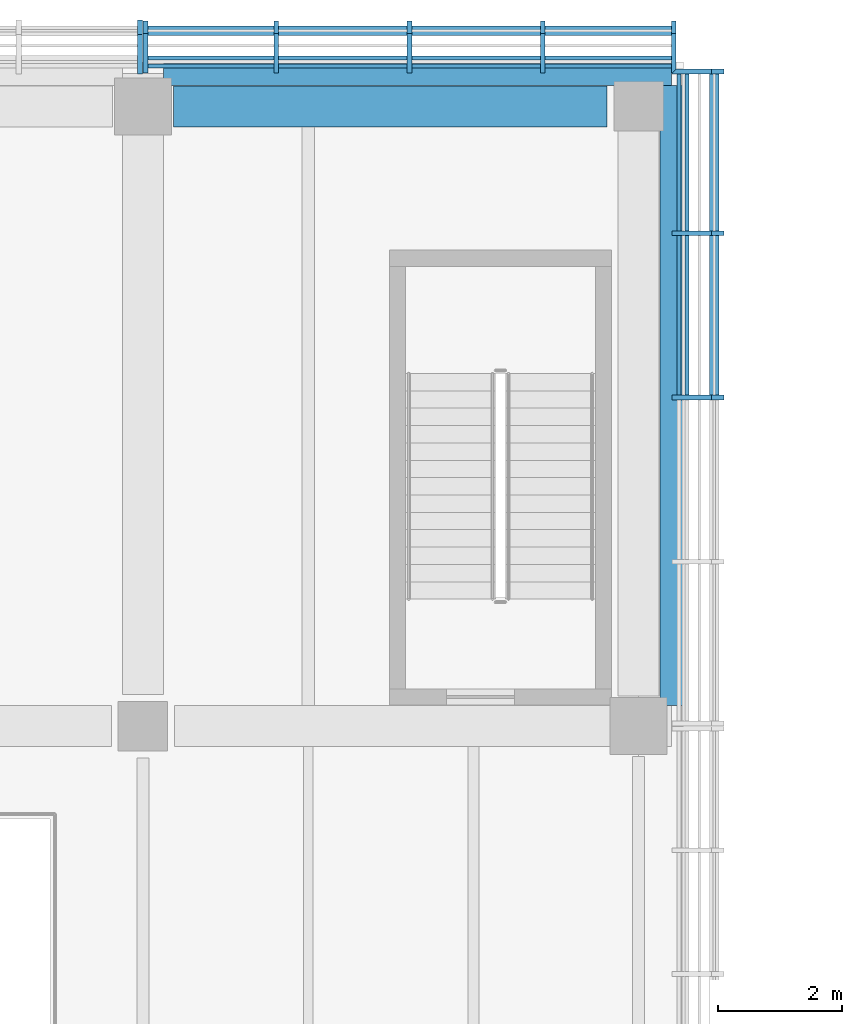
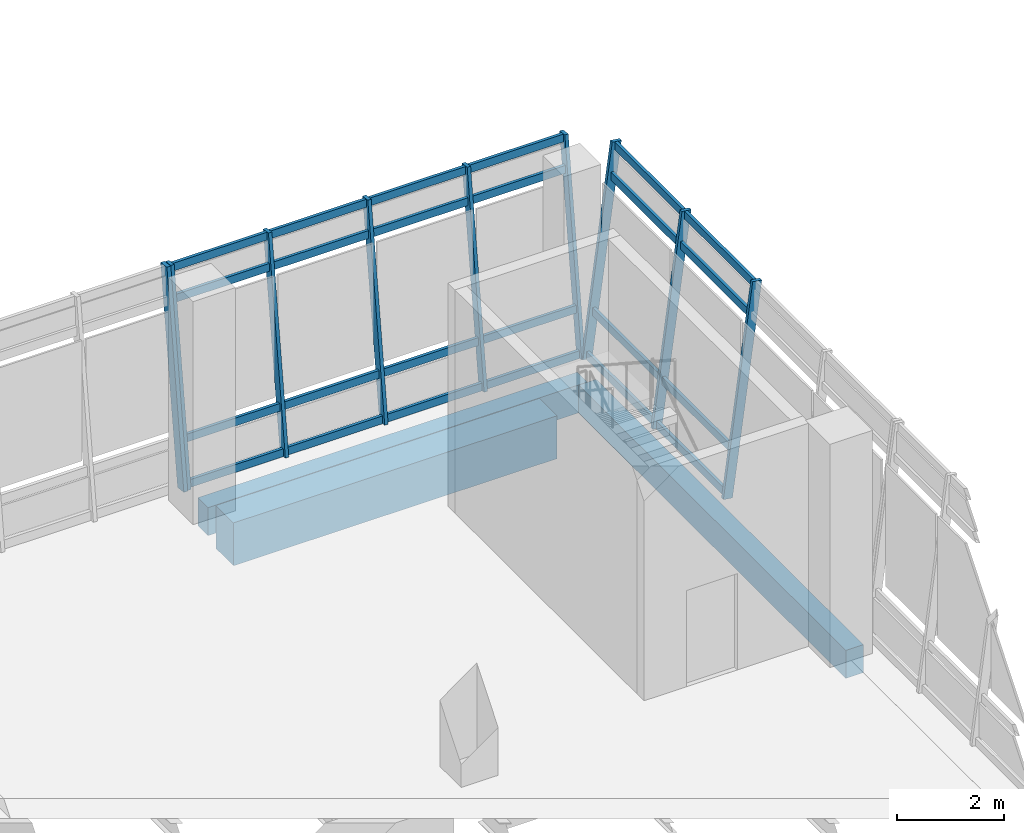
# One storey, part 20 of 61: 33 members, 3 beams, 3 elements without a shape of their own.
"""IFC4 building model written with IfcOpenShell, lengths in metres."""

from ifc_helpers import new_model, si_unit, direction, frame, origin, origin_2d, place, context, subcontext, project, spatial, rectangle, extrude, material, material_profile, profile_set, type_object, element, aggregate, save


model = new_model("IFC4")

# Units and contexts
model_context = context("Model", 3, precision=1e-05, world=origin(), true_north=direction((0.0, 1.0)))
body_context = subcontext(model_context, "Body", "Model", "MODEL_VIEW")
ifc_project = project(units=[si_unit("LENGTHUNIT", "METRE"), si_unit("AREAUNIT", "SQUARE_METRE"), si_unit("VOLUMEUNIT", "CUBIC_METRE"), si_unit("PLANEANGLEUNIT", "RADIAN"), si_unit("MASSUNIT", "GRAM", prefix="KILO")], contexts=[model_context])

# Site, building, storey
site_placement = place(None, origin())
site = spatial("IfcSite", under=ifc_project, at=site_placement, CompositionType="ELEMENT")
building_placement = place(site_placement, origin())
building = spatial("IfcBuilding", under=site, at=building_placement, Name="Pecanmere Concourse Central Library", CompositionType="ELEMENT")
storey_placement = place(building_placement, frame((0.0, 0.0, 5.39990234375)))
storey = spatial("IfcBuildingStorey", under=building, at=storey_placement, Name="L02", CompositionType="ELEMENT", Elevation=5.39990234375)

# Curtain wall, members
ifc_material_1 = material(Name="Anodized bronze aluminium alloy 6063-T6", Category="aluminium")
curtain_wall_type_1 = type_object("IfcCurtainWallType", Name="CW_LEAN_BANDED", PredefinedType="USERDEFINED", material=ifc_material_1)
curtain_wall_1_placement = place(storey_placement, origin())
curtain_wall_1 = element("IfcCurtainWall", 1, at=curtain_wall_1_placement, inside=storey, type_object=curtain_wall_type_1, Name="Unitised Curtain Wall CW-01 L02-008", ObjectType="UNITISED CURTAIN WALL", PredefinedType="USERDEFINED")
ifc_material_2 = material(Name="Anodized bronze aluminium alloy 6063-T6", Category="aluminium")
ifc_material_profile_1 = material_profile(ifc_material_2, rectangle(XDim=0.074951171875, YDim=0.199951171875, at=origin_2d()), Name="AL 75x200")
ifc_profile_set_1 = profile_set([ifc_material_profile_1], Name="Anodized bronze aluminium alloy 6063-T6")
member_type_1 = type_object("IfcMemberType", Name="CWM_200x75", PredefinedType="MULLION", material=ifc_profile_set_1)
member_1_placement = place(storey_placement, frame((104.56298828125, 124.640380859375, 0.0), z_axis=(0.0, 0.132283601957, 0.991211909055), x_axis=(-1.0, 0.0, 0.0)))
member_1 = element("IfcMember", 2, at=member_1_placement, type_object=member_type_1, Name="CW-01 Mullion 1", PredefinedType="MULLION", context=body_context, shape_type="SweptSolid", body=[
    extrude(rectangle(XDim=0.074951171875, YDim=0.199951171875, at=origin_2d()), origin(), (0.0, 0.0, 1.0), 4.80224609375),
])
member_2_placement = place(storey_placement, frame((102.45166015625, 124.640380859375, 0.0), z_axis=(0.0, 0.132283601957, 0.991211909055), x_axis=(-1.0, 0.0, 0.0)))
member_2 = element("IfcMember", 3, at=member_2_placement, type_object=member_type_1, Name="CW-01 Mullion 2", PredefinedType="MULLION", context=body_context, shape_type="SweptSolid", body=[
    extrude(rectangle(XDim=0.074951171875, YDim=0.199951171875, at=origin_2d()), origin(), (0.0, 0.0, 1.0), 4.80224609375),
])
member_3_placement = place(storey_placement, frame((100.302734375, 124.640380859375, 0.0), z_axis=(0.0, 0.132283601957, 0.991211909055), x_axis=(-1.0, 0.0, 0.0)))
member_3 = element("IfcMember", 4, at=member_3_placement, type_object=member_type_1, Name="CW-01 Mullion 3", PredefinedType="MULLION", context=body_context, shape_type="SweptSolid", body=[
    extrude(rectangle(XDim=0.074951171875, YDim=0.199951171875, at=origin_2d()), origin(), (0.0, 0.0, 1.0), 4.80224609375),
])
member_4_placement = place(storey_placement, frame((98.15380859375, 124.640380859375, 0.0), z_axis=(0.0, 0.132283601957, 0.991211909055), x_axis=(-1.0, 0.0, 0.0)))
member_4 = element("IfcMember", 5, at=member_4_placement, type_object=member_type_1, Name="CW-01 Mullion 4", PredefinedType="MULLION", context=body_context, shape_type="SweptSolid", body=[
    extrude(rectangle(XDim=0.074951171875, YDim=0.199951171875, at=origin_2d()), origin(), (0.0, 0.0, 1.0), 4.80224609375),
])
member_5_placement = place(storey_placement, frame((96.04248046875, 124.640380859375, 0.0), z_axis=(0.0, 0.132283601957, 0.991211909055), x_axis=(-1.0, 0.0, 0.0)))
member_5 = element("IfcMember", 6, at=member_5_placement, type_object=member_type_1, Name="CW-01 Mullion 5", PredefinedType="MULLION", context=body_context, shape_type="SweptSolid", body=[
    extrude(rectangle(XDim=0.074951171875, YDim=0.199951171875, at=origin_2d()), origin(), (0.0, 0.0, 1.0), 4.80224609375),
])

curtain_wall_2_placement = place(storey_placement, origin())
curtain_wall_2 = element("IfcCurtainWall", 7, at=curtain_wall_2_placement, inside=storey, type_object=curtain_wall_type_1, Name="Unitised Curtain Wall CW-01 L02-018", ObjectType="UNITISED CURTAIN WALL", PredefinedType="USERDEFINED")
member_6_placement = place(storey_placement, frame((104.640380859375, 119.302734375, 0.0), z_axis=(0.132283601957, 0.0, 0.991211909055), x_axis=(0.0, 1.0, 0.0)))
member_6 = element("IfcMember", 8, at=member_6_placement, type_object=member_type_1, Name="CW-01 Mullion 3", PredefinedType="MULLION", context=body_context, shape_type="SweptSolid", body=[
    extrude(rectangle(XDim=0.074951171875, YDim=0.199951171875, at=origin_2d()), origin(), (0.0, 0.0, 1.0), 4.80224609375),
])
member_7_placement = place(storey_placement, frame((104.640380859375, 121.95166015625, 0.0), z_axis=(0.132283601957, 0.0, 0.991211909055), x_axis=(0.0, 1.0, 0.0)))
member_7 = element("IfcMember", 9, at=member_7_placement, type_object=member_type_1, Name="CW-01 Mullion 4", PredefinedType="MULLION", context=body_context, shape_type="SweptSolid", body=[
    extrude(rectangle(XDim=0.074951171875, YDim=0.199951171875, at=origin_2d()), origin(), (0.0, 0.0, 1.0), 4.80224609375),
])
member_8_placement = place(storey_placement, frame((104.640380859375, 124.56298828125, 0.0), z_axis=(0.132283601957, 0.0, 0.991211909055), x_axis=(0.0, 1.0, 0.0)))
member_8 = element("IfcMember", 10, at=member_8_placement, type_object=member_type_1, Name="CW-01 Mullion 5", PredefinedType="MULLION", context=body_context, shape_type="SweptSolid", body=[
    extrude(rectangle(XDim=0.074951171875, YDim=0.199951171875, at=origin_2d()), origin(), (0.0, 0.0, 1.0), 4.80224609375),
])

# Curtain wall, member
ifc_material_3 = material(Name="Anodized bronze aluminium alloy 6063-T6", Category="aluminium")
curtain_wall_type_2 = type_object("IfcCurtainWallType", Name="CW_PORTAL_CLEAR", PredefinedType="USERDEFINED", material=ifc_material_3)
curtain_wall_3_placement = place(storey_placement, origin())
curtain_wall_3 = element("IfcCurtainWall", 11, at=curtain_wall_3_placement, inside=storey, type_object=curtain_wall_type_2, Name="Unitised Curtain Wall CW-03 L02-009", ObjectType="UNITISED CURTAIN WALL", PredefinedType="USERDEFINED")
ifc_material_4 = material(Name="Anodized bronze aluminium alloy 6063-T6", Category="aluminium")
ifc_material_profile_2 = material_profile(ifc_material_4, rectangle(XDim=0.0849609375, YDim=0.239990234375, at=origin_2d()), Name="AL 85x240")
ifc_profile_set_2 = profile_set([ifc_material_profile_2], Name="Anodized bronze aluminium alloy 6063-T6")
member_type_2 = type_object("IfcMemberType", Name="CWM_240x85", PredefinedType="MULLION", material=ifc_profile_set_2)
member_9_placement = place(storey_placement, frame((95.952392578125, 124.640380859375, 0.0), z_axis=(0.0, 0.132283601957, 0.991211909055), x_axis=(-1.0, 0.0, 0.0)))
member_9 = element("IfcMember", 12, at=member_9_placement, type_object=member_type_2, Name="CW-03 Mullion 1", PredefinedType="MULLION", context=body_context, shape_type="SweptSolid", body=[
    extrude(rectangle(XDim=0.0849609375, YDim=0.239990234375, at=origin_2d()), origin(), (0.0, 0.0, 1.0), 4.80224609375),
])
aggregate(curtain_wall_3, [member_9])

# Member
ifc_material_5 = material(Name="Anodized bronze aluminium alloy 6063-T6", Category="aluminium")
ifc_material_profile_3 = material_profile(ifc_material_5, rectangle(XDim=0.06494140625, YDim=0.179931640625, at=origin_2d()), Name="AL 65x180")
ifc_profile_set_3 = profile_set([ifc_material_profile_3], Name="Anodized bronze aluminium alloy 6063-T6")
member_type_3 = type_object("IfcMemberType", Name="CWT_180x65", PredefinedType="USERDEFINED", material=ifc_profile_set_3)
member_10_placement = place(storey_placement, frame((104.525390625, 124.652587890625, 0.090087890625), z_axis=(-1.0, 0.0, 0.0), x_axis=(0.0, -1.0, 0.0)))
member_10 = element("IfcMember", 13, at=member_10_placement, type_object=member_type_3, Name="CW-01 Transom 1.1", ObjectType="TRANSOM", PredefinedType="USERDEFINED", context=body_context, shape_type="SweptSolid", body=[
    extrude(rectangle(XDim=0.06494140625, YDim=0.179931640625, at=origin_2d()), origin(), (0.0, 0.0, 1.0), 2.036376953125),
])

member_11_placement = place(storey_placement, frame((104.525390625, 124.780517578125, 1.050048828125), z_axis=(-1.0, 0.0, 0.0), x_axis=(0.0, -1.0, 0.0)))
member_11 = element("IfcMember", 14, at=member_11_placement, type_object=member_type_3, Name="CW-01 Transom 1.2", ObjectType="TRANSOM", PredefinedType="USERDEFINED", context=body_context, shape_type="SweptSolid", body=[
    extrude(rectangle(XDim=0.06494140625, YDim=0.179931640625, at=origin_2d()), origin(), (0.0, 0.0, 1.0), 2.036376953125),
])

member_12_placement = place(storey_placement, frame((104.525390625, 125.175537109375, 4.010009765625), z_axis=(-1.0, 0.0, 0.0), x_axis=(0.0, -1.0, 0.0)))
member_12 = element("IfcMember", 15, at=member_12_placement, type_object=member_type_3, Name="CW-01 Transom 1.3", ObjectType="TRANSOM", PredefinedType="USERDEFINED", context=body_context, shape_type="SweptSolid", body=[
    extrude(rectangle(XDim=0.06494140625, YDim=0.179931640625, at=origin_2d()), origin(), (0.0, 0.0, 1.0), 2.036376953125),
])

member_13_placement = place(storey_placement, frame((104.525390625, 125.263671875, 4.670166015625), z_axis=(-1.0, 0.0, 0.0), x_axis=(0.0, -1.0, 0.0)))
member_13 = element("IfcMember", 16, at=member_13_placement, type_object=member_type_3, Name="CW-01 Transom 1.4", ObjectType="TRANSOM", PredefinedType="USERDEFINED", context=body_context, shape_type="SweptSolid", body=[
    extrude(rectangle(XDim=0.06494140625, YDim=0.179931640625, at=origin_2d()), origin(), (0.0, 0.0, 1.0), 2.036376953125),
])

member_14_placement = place(storey_placement, frame((102.4140625, 124.652587890625, 0.090087890625), z_axis=(-1.0, 0.0, 0.0), x_axis=(0.0, -1.0, 0.0)))
member_14 = element("IfcMember", 17, at=member_14_placement, type_object=member_type_3, Name="CW-01 Transom 2.1", ObjectType="TRANSOM", PredefinedType="USERDEFINED", context=body_context, shape_type="SweptSolid", body=[
    extrude(rectangle(XDim=0.06494140625, YDim=0.179931640625, at=origin_2d()), origin(), (0.0, 0.0, 1.0), 2.07373046875),
])

member_15_placement = place(storey_placement, frame((102.4140625, 124.780517578125, 1.050048828125), z_axis=(-1.0, 0.0, 0.0), x_axis=(0.0, -1.0, 0.0)))
member_15 = element("IfcMember", 18, at=member_15_placement, type_object=member_type_3, Name="CW-01 Transom 2.2", ObjectType="TRANSOM", PredefinedType="USERDEFINED", context=body_context, shape_type="SweptSolid", body=[
    extrude(rectangle(XDim=0.06494140625, YDim=0.179931640625, at=origin_2d()), origin(), (0.0, 0.0, 1.0), 2.07373046875),
])

member_16_placement = place(storey_placement, frame((102.4140625, 125.175537109375, 4.010009765625), z_axis=(-1.0, 0.0, 0.0), x_axis=(0.0, -1.0, 0.0)))
member_16 = element("IfcMember", 19, at=member_16_placement, type_object=member_type_3, Name="CW-01 Transom 2.3", ObjectType="TRANSOM", PredefinedType="USERDEFINED", context=body_context, shape_type="SweptSolid", body=[
    extrude(rectangle(XDim=0.06494140625, YDim=0.179931640625, at=origin_2d()), origin(), (0.0, 0.0, 1.0), 2.07373046875),
])

member_17_placement = place(storey_placement, frame((102.4140625, 125.263671875, 4.670166015625), z_axis=(-1.0, 0.0, 0.0), x_axis=(0.0, -1.0, 0.0)))
member_17 = element("IfcMember", 20, at=member_17_placement, type_object=member_type_3, Name="CW-01 Transom 2.4", ObjectType="TRANSOM", PredefinedType="USERDEFINED", context=body_context, shape_type="SweptSolid", body=[
    extrude(rectangle(XDim=0.06494140625, YDim=0.179931640625, at=origin_2d()), origin(), (0.0, 0.0, 1.0), 2.07373046875),
])

member_18_placement = place(storey_placement, frame((100.26513671875, 124.652587890625, 0.090087890625), z_axis=(-1.0, 0.0, 0.0), x_axis=(0.0, -1.0, 0.0)))
member_18 = element("IfcMember", 21, at=member_18_placement, type_object=member_type_3, Name="CW-01 Transom 3.1", ObjectType="TRANSOM", PredefinedType="USERDEFINED", context=body_context, shape_type="SweptSolid", body=[
    extrude(rectangle(XDim=0.06494140625, YDim=0.179931640625, at=origin_2d()), origin(), (0.0, 0.0, 1.0), 2.07373046875),
])

member_19_placement = place(storey_placement, frame((100.26513671875, 124.780517578125, 1.050048828125), z_axis=(-1.0, 0.0, 0.0), x_axis=(0.0, -1.0, 0.0)))
member_19 = element("IfcMember", 22, at=member_19_placement, type_object=member_type_3, Name="CW-01 Transom 3.2", ObjectType="TRANSOM", PredefinedType="USERDEFINED", context=body_context, shape_type="SweptSolid", body=[
    extrude(rectangle(XDim=0.06494140625, YDim=0.179931640625, at=origin_2d()), origin(), (0.0, 0.0, 1.0), 2.07373046875),
])

member_20_placement = place(storey_placement, frame((100.26513671875, 125.175537109375, 4.010009765625), z_axis=(-1.0, 0.0, 0.0), x_axis=(0.0, -1.0, 0.0)))
member_20 = element("IfcMember", 23, at=member_20_placement, type_object=member_type_3, Name="CW-01 Transom 3.3", ObjectType="TRANSOM", PredefinedType="USERDEFINED", context=body_context, shape_type="SweptSolid", body=[
    extrude(rectangle(XDim=0.06494140625, YDim=0.179931640625, at=origin_2d()), origin(), (0.0, 0.0, 1.0), 2.07373046875),
])

member_21_placement = place(storey_placement, frame((100.26513671875, 125.263671875, 4.670166015625), z_axis=(-1.0, 0.0, 0.0), x_axis=(0.0, -1.0, 0.0)))
member_21 = element("IfcMember", 24, at=member_21_placement, type_object=member_type_3, Name="CW-01 Transom 3.4", ObjectType="TRANSOM", PredefinedType="USERDEFINED", context=body_context, shape_type="SweptSolid", body=[
    extrude(rectangle(XDim=0.06494140625, YDim=0.179931640625, at=origin_2d()), origin(), (0.0, 0.0, 1.0), 2.07373046875),
])

member_22_placement = place(storey_placement, frame((98.116455078125, 124.652587890625, 0.090087890625), z_axis=(-1.0, 0.0, 0.0), x_axis=(0.0, -1.0, 0.0)))
member_22 = element("IfcMember", 25, at=member_22_placement, type_object=member_type_3, Name="CW-01 Transom 4.1", ObjectType="TRANSOM", PredefinedType="USERDEFINED", context=body_context, shape_type="SweptSolid", body=[
    extrude(rectangle(XDim=0.06494140625, YDim=0.179931640625, at=origin_2d()), origin(), (0.0, 0.0, 1.0), 2.036376953125),
])

member_23_placement = place(storey_placement, frame((98.116455078125, 124.780517578125, 1.050048828125), z_axis=(-1.0, 0.0, 0.0), x_axis=(0.0, -1.0, 0.0)))
member_23 = element("IfcMember", 26, at=member_23_placement, type_object=member_type_3, Name="CW-01 Transom 4.2", ObjectType="TRANSOM", PredefinedType="USERDEFINED", context=body_context, shape_type="SweptSolid", body=[
    extrude(rectangle(XDim=0.06494140625, YDim=0.179931640625, at=origin_2d()), origin(), (0.0, 0.0, 1.0), 2.036376953125),
])

member_24_placement = place(storey_placement, frame((98.116455078125, 125.175537109375, 4.010009765625), z_axis=(-1.0, 0.0, 0.0), x_axis=(0.0, -1.0, 0.0)))
member_24 = element("IfcMember", 27, at=member_24_placement, type_object=member_type_3, Name="CW-01 Transom 4.3", ObjectType="TRANSOM", PredefinedType="USERDEFINED", context=body_context, shape_type="SweptSolid", body=[
    extrude(rectangle(XDim=0.06494140625, YDim=0.179931640625, at=origin_2d()), origin(), (0.0, 0.0, 1.0), 2.036376953125),
])

member_25_placement = place(storey_placement, frame((98.116455078125, 125.263671875, 4.670166015625), z_axis=(-1.0, 0.0, 0.0), x_axis=(0.0, -1.0, 0.0)))
member_25 = element("IfcMember", 28, at=member_25_placement, type_object=member_type_3, Name="CW-01 Transom 4.4", ObjectType="TRANSOM", PredefinedType="USERDEFINED", context=body_context, shape_type="SweptSolid", body=[
    extrude(rectangle(XDim=0.06494140625, YDim=0.179931640625, at=origin_2d()), origin(), (0.0, 0.0, 1.0), 2.036376953125),
])

aggregate(curtain_wall_1, [member_1, member_2, member_3, member_4, member_5, member_10, member_11, member_12, member_13, member_14, member_15, member_16, member_17, member_18, member_19, member_20, member_21, member_22, member_23, member_24, member_25])

member_26_placement = place(storey_placement, frame((104.652587890625, 119.34033203125, 0.090087890625), z_axis=(0.0, 1.0, 0.0), x_axis=(-1.0, 0.0, 0.0)))
member_26 = element("IfcMember", 29, at=member_26_placement, type_object=member_type_3, Name="CW-01 Transom 3.1", ObjectType="TRANSOM", PredefinedType="USERDEFINED", context=body_context, shape_type="SweptSolid", body=[
    extrude(rectangle(XDim=0.06494140625, YDim=0.179931640625, at=origin_2d()), origin(), (0.0, 0.0, 1.0), 2.57373046875),
])

member_27_placement = place(storey_placement, frame((104.780517578125, 119.34033203125, 1.050048828125), z_axis=(0.0, 1.0, 0.0), x_axis=(-1.0, 0.0, 0.0)))
member_27 = element("IfcMember", 30, at=member_27_placement, type_object=member_type_3, Name="CW-01 Transom 3.2", ObjectType="TRANSOM", PredefinedType="USERDEFINED", context=body_context, shape_type="SweptSolid", body=[
    extrude(rectangle(XDim=0.06494140625, YDim=0.179931640625, at=origin_2d()), origin(), (0.0, 0.0, 1.0), 2.57373046875),
])

member_28_placement = place(storey_placement, frame((105.175537109375, 119.34033203125, 4.010009765625), z_axis=(0.0, 1.0, 0.0), x_axis=(-1.0, 0.0, 0.0)))
member_28 = element("IfcMember", 31, at=member_28_placement, type_object=member_type_3, Name="CW-01 Transom 3.3", ObjectType="TRANSOM", PredefinedType="USERDEFINED", context=body_context, shape_type="SweptSolid", body=[
    extrude(rectangle(XDim=0.06494140625, YDim=0.179931640625, at=origin_2d()), origin(), (0.0, 0.0, 1.0), 2.57373046875),
])

member_29_placement = place(storey_placement, frame((105.263671875, 119.34033203125, 4.670166015625), z_axis=(0.0, 1.0, 0.0), x_axis=(-1.0, 0.0, 0.0)))
member_29 = element("IfcMember", 32, at=member_29_placement, type_object=member_type_3, Name="CW-01 Transom 3.4", ObjectType="TRANSOM", PredefinedType="USERDEFINED", context=body_context, shape_type="SweptSolid", body=[
    extrude(rectangle(XDim=0.06494140625, YDim=0.179931640625, at=origin_2d()), origin(), (0.0, 0.0, 1.0), 2.57373046875),
])

member_30_placement = place(storey_placement, frame((104.652587890625, 121.989013671875, 0.090087890625), z_axis=(0.0, 1.0, 0.0), x_axis=(-1.0, 0.0, 0.0)))
member_30 = element("IfcMember", 33, at=member_30_placement, type_object=member_type_3, Name="CW-01 Transom 4.1", ObjectType="TRANSOM", PredefinedType="USERDEFINED", context=body_context, shape_type="SweptSolid", body=[
    extrude(rectangle(XDim=0.06494140625, YDim=0.179931640625, at=origin_2d()), origin(), (0.0, 0.0, 1.0), 2.536376953125),
])

member_31_placement = place(storey_placement, frame((104.780517578125, 121.989013671875, 1.050048828125), z_axis=(0.0, 1.0, 0.0), x_axis=(-1.0, 0.0, 0.0)))
member_31 = element("IfcMember", 34, at=member_31_placement, type_object=member_type_3, Name="CW-01 Transom 4.2", ObjectType="TRANSOM", PredefinedType="USERDEFINED", context=body_context, shape_type="SweptSolid", body=[
    extrude(rectangle(XDim=0.06494140625, YDim=0.179931640625, at=origin_2d()), origin(), (0.0, 0.0, 1.0), 2.536376953125),
])

member_32_placement = place(storey_placement, frame((105.175537109375, 121.989013671875, 4.010009765625), z_axis=(0.0, 1.0, 0.0), x_axis=(-1.0, 0.0, 0.0)))
member_32 = element("IfcMember", 35, at=member_32_placement, type_object=member_type_3, Name="CW-01 Transom 4.3", ObjectType="TRANSOM", PredefinedType="USERDEFINED", context=body_context, shape_type="SweptSolid", body=[
    extrude(rectangle(XDim=0.06494140625, YDim=0.179931640625, at=origin_2d()), origin(), (0.0, 0.0, 1.0), 2.536376953125),
])

member_33_placement = place(storey_placement, frame((105.263671875, 121.989013671875, 4.670166015625), z_axis=(0.0, 1.0, 0.0), x_axis=(-1.0, 0.0, 0.0)))
member_33 = element("IfcMember", 36, at=member_33_placement, type_object=member_type_3, Name="CW-01 Transom 4.4", ObjectType="TRANSOM", PredefinedType="USERDEFINED", context=body_context, shape_type="SweptSolid", body=[
    extrude(rectangle(XDim=0.06494140625, YDim=0.179931640625, at=origin_2d()), origin(), (0.0, 0.0, 1.0), 2.536376953125),
])

aggregate(curtain_wall_2, [member_6, member_7, member_8, member_26, member_27, member_28, member_29, member_30, member_31, member_32, member_33])

# Beams
ifc_material_6 = material(Name="Concrete C40/50", Category="concrete")
ifc_material_profile_4 = material_profile(ifc_material_6, rectangle(XDim=0.659912109375, YDim=0.97998046875, at=origin_2d()), Name="RC 660x980")
ifc_profile_set_4 = profile_set([ifc_material_profile_4], Name="Concrete C40/50")
beam_type_1 = type_object("IfcBeamType", Name="GRD_660x980", PredefinedType="USERDEFINED", material=ifc_profile_set_4)
beam_1_placement = place(storey_placement, frame((96.489990234375, 124.0, -0.85986328125), z_axis=(1.0, 0.0, 0.0), x_axis=(0.0, 1.0, 0.0)))
element("IfcBeam", 37, at=beam_1_placement, inside=storey, type_object=beam_type_1, Name="Primary Girder X L02-0960", ObjectType="GIRDER", PredefinedType="USERDEFINED", context=body_context, shape_type="SweptSolid", body=[
    extrude(rectangle(XDim=0.659912109375, YDim=0.97998046875, at=origin_2d()), origin(), (0.0, 0.0, 1.0), 7.0),
])
ifc_material_7 = material(Name="Concrete C40/50", Category="concrete")
ifc_material_profile_5 = material_profile(ifc_material_7, rectangle(XDim=0.3798828125, YDim=0.639892578125, at=origin_2d()), Name="RC 380x640")
ifc_profile_set_5 = profile_set([ifc_material_profile_5], Name="Concrete C40/50")
beam_type_2 = type_object("IfcBeamType", Name="SPB_380x640", PredefinedType="BEAM", material=ifc_profile_set_5)
beam_2_placement = place(storey_placement, frame((96.330078125, 124.530517578125, -0.68994140625), z_axis=(1.0, 0.0, 0.0), x_axis=(0.0, 1.0, 0.0)))
element("IfcBeam", 38, at=beam_2_placement, inside=storey, type_object=beam_type_2, Name="Leaning Facade Edge Beam L02-1165", PredefinedType="BEAM", context=body_context, shape_type="SweptSolid", body=[
    extrude(rectangle(XDim=0.3798828125, YDim=0.639892578125, at=origin_2d()), origin(), (0.0, 0.0, 1.0), 8.200439453125),
])
beam_3_placement = place(storey_placement, frame((104.530517578125, 114.330078125, -0.68994140625), z_axis=(0.0, 1.0, 0.0), x_axis=(-1.0, 0.0, 0.0)))
element("IfcBeam", 39, at=beam_3_placement, inside=storey, type_object=beam_type_2, Name="Leaning Facade Edge Beam L02-1167", PredefinedType="BEAM", context=body_context, shape_type="SweptSolid", body=[
    extrude(rectangle(XDim=0.3798828125, YDim=0.639892578125, at=origin_2d()), origin(), (0.0, 0.0, 1.0), 10.010498046875),
])

save(model, "model.ifc")
